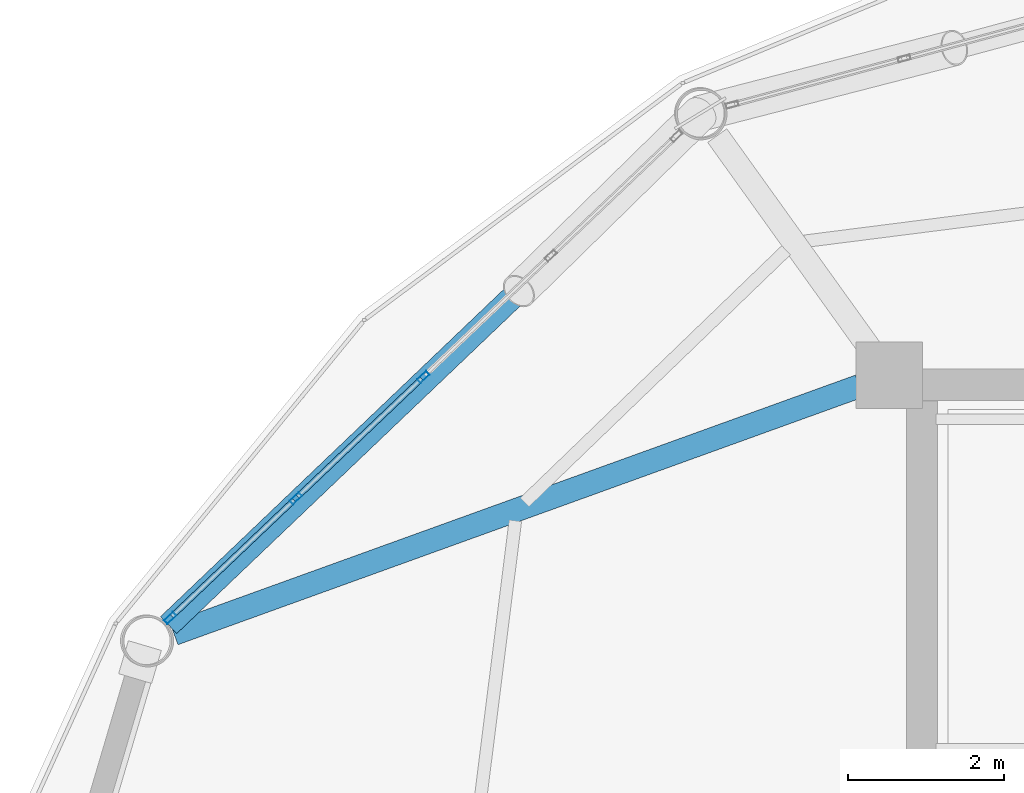
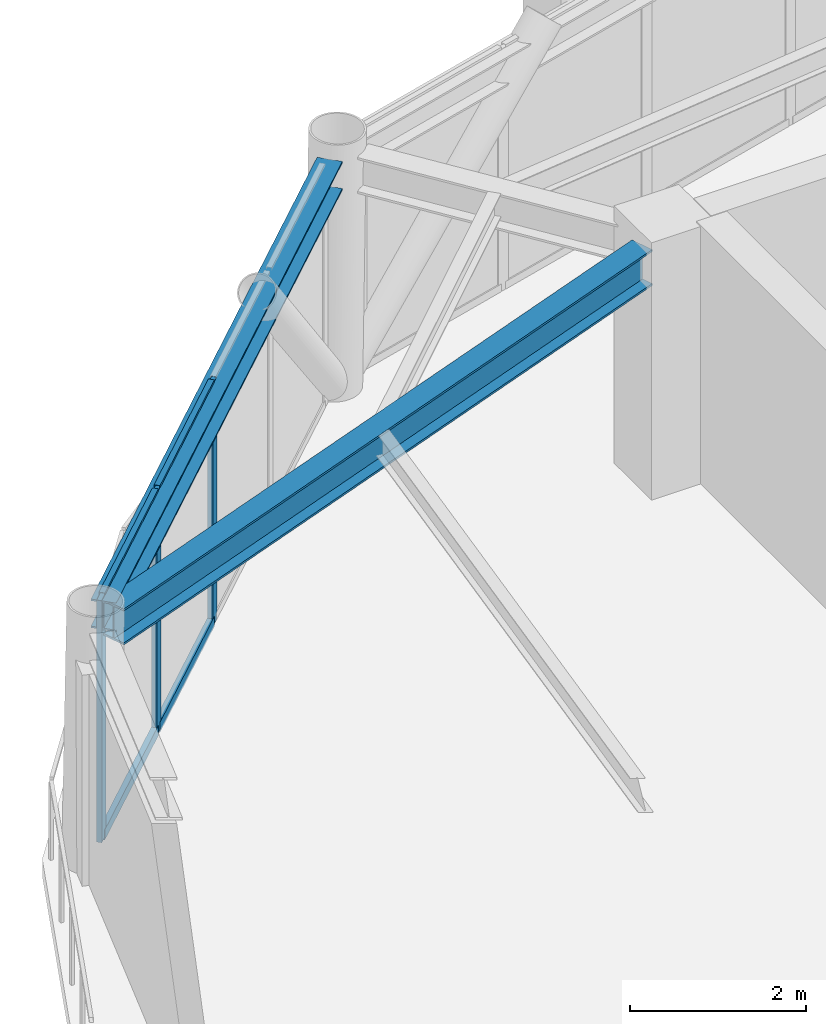
# One storey, part 13 of 28: 7 members, 2 beams, 1 element without a shape of its own.
"""IFC4 building model written with IfcOpenShell, lengths in metres."""

from ifc_helpers import new_model, si_unit, direction, frame, origin, origin_2d, place, context, subcontext, project, spatial, hollow_rectangle, i_section, extrude, material, layer, layer_set, material_profile, profile_set, type_object, element, aggregate, save


model = new_model("IFC4")

# Units and contexts
model_context = context("Model", 3, precision=1e-05, world=origin(), true_north=direction((0.0, 1.0)))
body_context = subcontext(model_context, "Body", "Model", "MODEL_VIEW")
ifc_project = project(units=[si_unit("LENGTHUNIT", "METRE"), si_unit("AREAUNIT", "SQUARE_METRE"), si_unit("VOLUMEUNIT", "CUBIC_METRE"), si_unit("PLANEANGLEUNIT", "RADIAN"), si_unit("MASSUNIT", "GRAM", prefix="KILO")], contexts=[model_context])

# Site, building, storey
site_placement = place(None, origin())
site = spatial("IfcSite", under=ifc_project, at=site_placement, CompositionType="ELEMENT")
building_placement = place(site_placement, origin())
building = spatial("IfcBuilding", under=site, at=building_placement, Name="Varnakorn Sky Granary", CompositionType="ELEMENT")
storey_placement = place(building_placement, frame((0.0, 0.0, 193.199951171875)))
storey = spatial("IfcBuildingStorey", under=building, at=storey_placement, Name="L48", CompositionType="ELEMENT", Elevation=193.199951171875)

# Beams
ifc_material_1 = material(Name="Steel S355JR", Category="steel")
ifc_material_profile_1 = material_profile(ifc_material_1, i_section(OverallWidth=0.300048828125, OverallDepth=0.5, WebThickness=0.014404296875, FlangeThickness=0.028076171875, at=origin_2d()), Name="HE 500 B")
ifc_profile_set_1 = profile_set([ifc_material_profile_1], Name="Steel S355JR")
beam_type_1 = type_object("IfcBeamType", Name="BM-RAD-Z4", PredefinedType="BEAM", material=ifc_profile_set_1)
beam_1_placement = place(storey_placement, frame((-2.80078125, 12.482421875, 3.110107421875), z_axis=(-0.940529283251, -0.33971262465, 0.0), x_axis=(0.33971262465, -0.940529283251, 0.0)))
element("IfcBeam", 1, at=beam_1_placement, inside=storey, type_object=beam_type_1, Name="Radial Floor Girder RG06 L48", PredefinedType="BEAM", context=body_context, shape_type="SweptSolid", body=[
    extrude(i_section(OverallWidth=0.300048828125, OverallDepth=0.5, WebThickness=0.014404296875, FlangeThickness=0.028076171875, at=origin_2d()), origin(), (0.0, 0.0, 1.0), 9.329833984375),
])
ifc_material_profile_2 = material_profile(ifc_material_1, i_section(OverallWidth=0.300048828125, OverallDepth=0.39990234375, WebThickness=0.013427734375, FlangeThickness=0.02392578125, at=origin_2d()), Name="HE 400 B")
ifc_profile_set_2 = profile_set([ifc_material_profile_2], Name="Steel S355JR")
beam_type_2 = type_object("IfcBeamType", Name="BM-SPD-Z4", PredefinedType="SPANDREL", material=ifc_profile_set_2)
beam_2_placement = place(storey_placement, frame((-5.032470703125, 15.727783203125, 3.16015625), z_axis=(-0.723716437857, -0.69009746962, 0.0), x_axis=(0.69009746962, -0.723716437857, 0.0)))
element("IfcBeam", 2, at=beam_2_placement, inside=storey, type_object=beam_type_2, Name="Perimeter Spandrel Ring Beam RB05 L48", PredefinedType="SPANDREL", context=body_context, shape_type="SweptSolid", body=[
    extrude(i_section(OverallWidth=0.300048828125, OverallDepth=0.39990234375, WebThickness=0.013427734375, FlangeThickness=0.02392578125, at=origin_2d()), origin(), (0.0, 0.0, 1.0), 9.135498046875),
])

# Curtain wall, members
ifc_material_2 = material(Name="Anodised Bronze Aluminium Alloy 6063-T6", Category="aluminium")
ifc_layer = layer(ifc_material_2, 0.169921875, Name="Anodised Bronze Aluminium Alloy 6063-T6")
ifc_layer_set = layer_set([ifc_layer], Name="Anodised Bronze Aluminium Alloy 6063-T6")
curtain_wall_type = type_object("IfcCurtainWallType", Name="CW-LAB-1", PredefinedType="USERDEFINED", material=ifc_layer_set)
curtain_wall_placement = place(storey_placement, origin())
curtain_wall = element("IfcCurtainWall", 3, at=curtain_wall_placement, inside=storey, type_object=curtain_wall_type, Name="Unitised Curtain Wall CW5 CW-L48-B05", ObjectType="CURTAIN WALL", PredefinedType="USERDEFINED")
ifc_material_profile_3 = material_profile(ifc_material_2, hollow_rectangle(XDim=0.06494140625, YDim=0.159912109375, WallThickness=0.00341796875, at=origin_2d()), Name="ALU MULL 65x160")
ifc_profile_set_3 = profile_set([ifc_material_profile_3], Name="Anodised Bronze Aluminium Alloy 6063-T6")
member_type_1 = type_object("IfcMemberType", Name="CW-LAB-1-MULL", PredefinedType="MULLION", material=ifc_profile_set_3)
member_1_placement = place(storey_placement, frame((-11.6240234375, 9.514404296875, 0.0), z_axis=(0.0, 0.0, 1.0), x_axis=(-0.689516343161, 0.724270123996, 0.0)))
member_1 = element("IfcMember", 4, at=member_1_placement, type_object=member_type_1, Name="CW5 mullion 1", PredefinedType="MULLION", context=body_context, shape_type="SweptSolid", body=[
    extrude(hollow_rectangle(XDim=0.06494140625, YDim=0.159912109375, WallThickness=0.00341796875, at=origin_2d()), origin(), (0.0, 0.0, 1.0), 3.360107421875),
])
member_2_placement = place(storey_placement, frame((-10.015869140625, 11.04541015625, 0.0), z_axis=(0.0, 0.0, 1.0), x_axis=(-0.689516343161, 0.724270123996, 0.0)))
member_2 = element("IfcMember", 5, at=member_2_placement, type_object=member_type_1, Name="CW5 mullion 2", PredefinedType="MULLION", context=body_context, shape_type="SweptSolid", body=[
    extrude(hollow_rectangle(XDim=0.06494140625, YDim=0.159912109375, WallThickness=0.00341796875, at=origin_2d()), origin(), (0.0, 0.0, 1.0), 3.360107421875),
])
member_3_placement = place(storey_placement, frame((-8.384033203125, 12.598876953125, 0.0), z_axis=(0.0, 0.0, 1.0), x_axis=(-0.689516343161, 0.724270123996, 0.0)))
member_3 = element("IfcMember", 6, at=member_3_placement, type_object=member_type_1, Name="CW5 mullion 3", PredefinedType="MULLION", context=body_context, shape_type="SweptSolid", body=[
    extrude(hollow_rectangle(XDim=0.06494140625, YDim=0.159912109375, WallThickness=0.00341796875, at=origin_2d()), origin(), (0.0, 0.0, 1.0), 3.360107421875),
])
ifc_material_profile_4 = material_profile(ifc_material_2, hollow_rectangle(XDim=0.070068359375, YDim=0.139892578125, WallThickness=0.00341796875, at=origin_2d()), Name="ALU TRAN 70x140")
ifc_profile_set_4 = profile_set([ifc_material_profile_4], Name="Anodised Bronze Aluminium Alloy 6063-T6")
member_type_2 = type_object("IfcMemberType", Name="CW-LAB-1-TRAN", PredefinedType="USERDEFINED", material=ifc_profile_set_4)
member_4_placement = place(storey_placement, frame((-11.6005859375, 9.53662109375, 0.03515625), z_axis=(0.724277972216, 0.689508099273, 0.0), x_axis=(-0.689508099273, 0.724277972216, 0.0)))
member_4 = element("IfcMember", 7, at=member_4_placement, type_object=member_type_2, Name="CW5 transom 1.1", ObjectType="TRANSOM", PredefinedType="USERDEFINED", context=body_context, shape_type="SweptSolid", body=[
    extrude(hollow_rectangle(XDim=0.070068359375, YDim=0.139892578125, WallThickness=0.00341796875, at=origin_2d()), origin(), (0.0, 0.0, 1.0), 2.155517578125),
])
member_5_placement = place(storey_placement, frame((-11.6005859375, 9.53662109375, 3.324951171875), z_axis=(0.724277972216, 0.689508099273, 0.0), x_axis=(-0.689508099273, 0.724277972216, 0.0)))
member_5 = element("IfcMember", 8, at=member_5_placement, type_object=member_type_2, Name="CW5 transom 1.2", ObjectType="TRANSOM", PredefinedType="USERDEFINED", context=body_context, shape_type="SweptSolid", body=[
    extrude(hollow_rectangle(XDim=0.070068359375, YDim=0.139892578125, WallThickness=0.00341796875, at=origin_2d()), origin(), (0.0, 0.0, 1.0), 2.155517578125),
])
member_6_placement = place(storey_placement, frame((-9.9921875, 11.06787109375, 0.03515625), z_axis=(0.724299782659, 0.689485188268, 0.0), x_axis=(-0.689485188268, 0.724299782659, 0.0)))
member_6 = element("IfcMember", 9, at=member_6_placement, type_object=member_type_2, Name="CW5 transom 2.1", ObjectType="TRANSOM", PredefinedType="USERDEFINED", context=body_context, shape_type="SweptSolid", body=[
    extrude(hollow_rectangle(XDim=0.070068359375, YDim=0.139892578125, WallThickness=0.00341796875, at=origin_2d()), origin(), (0.0, 0.0, 1.0), 2.18798828125),
])
member_7_placement = place(storey_placement, frame((-9.9921875, 11.06787109375, 3.324951171875), z_axis=(0.724299782659, 0.689485188268, 0.0), x_axis=(-0.689485188268, 0.724299782659, 0.0)))
member_7 = element("IfcMember", 10, at=member_7_placement, type_object=member_type_2, Name="CW5 transom 2.2", ObjectType="TRANSOM", PredefinedType="USERDEFINED", context=body_context, shape_type="SweptSolid", body=[
    extrude(hollow_rectangle(XDim=0.070068359375, YDim=0.139892578125, WallThickness=0.00341796875, at=origin_2d()), origin(), (0.0, 0.0, 1.0), 2.18798828125),
])
aggregate(curtain_wall, [member_1, member_2, member_3, member_4, member_5, member_6, member_7])

save(model, "model.ifc")
